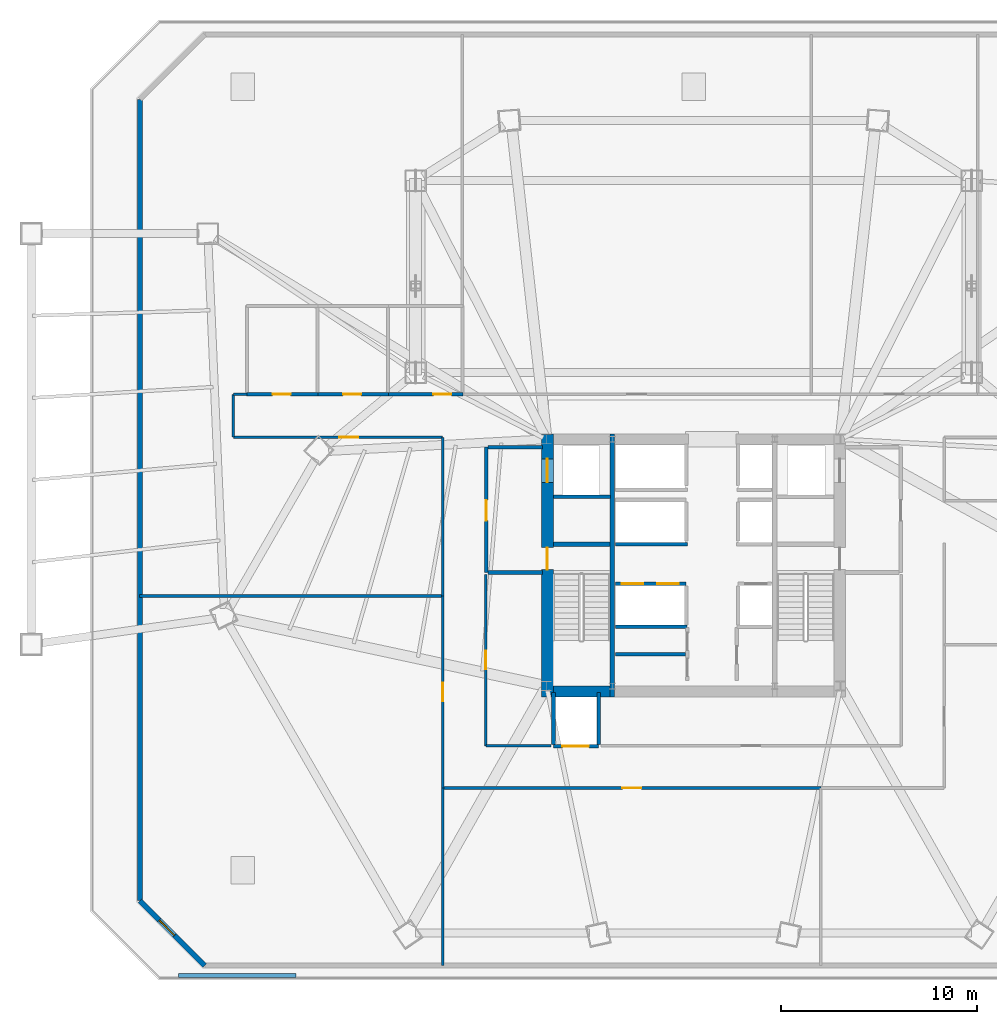
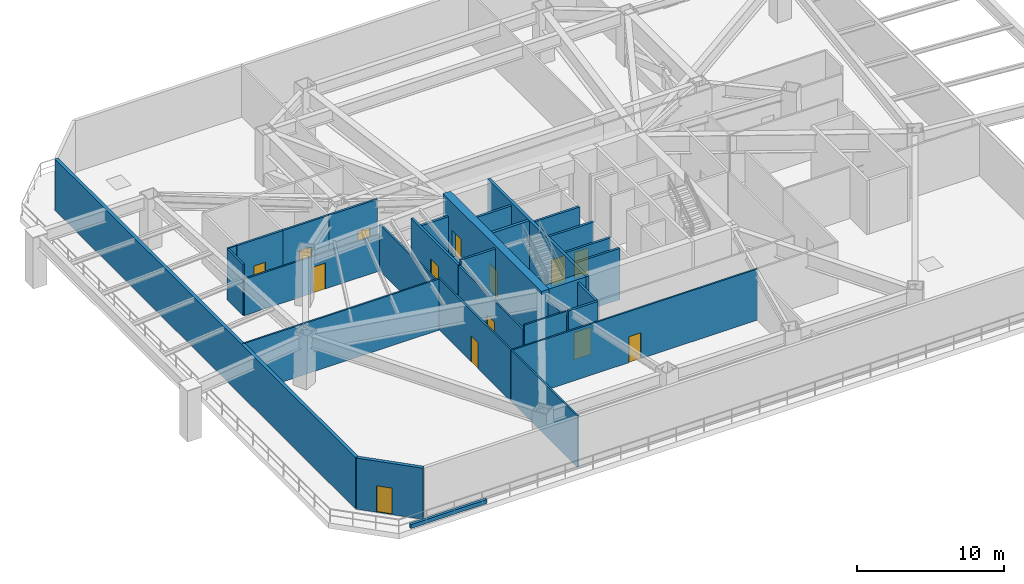
# One storey, part 6 of 13: 31 walls, 14 doors, 14 openings.
"""IFC4 building model written with IfcOpenShell, lengths in metres."""

from ifc_helpers import new_model, si_unit, direction, frame, frame_2d, origin, place, context, subcontext, project, spatial, rectangle, extrude, material, layer, layer_set, type_object, element, fill, save


model = new_model("IFC4")

# Units and contexts
model_context = context("Model", 3, precision=1e-05, world=origin(), true_north=direction((0.0, 1.0)))
body_context = subcontext(model_context, "Body", "Model", "MODEL_VIEW")
ifc_project = project(units=[si_unit("LENGTHUNIT", "METRE"), si_unit("AREAUNIT", "SQUARE_METRE"), si_unit("VOLUMEUNIT", "CUBIC_METRE"), si_unit("PLANEANGLEUNIT", "RADIAN"), si_unit("MASSUNIT", "GRAM", prefix="KILO")], contexts=[model_context])

# Site, building, storey
site_placement = place(None, origin())
site = spatial("IfcSite", under=ifc_project, at=site_placement, CompositionType="ELEMENT")
building_placement = place(site_placement, origin())
building = spatial("IfcBuilding", under=site, at=building_placement, Name="Caelisora Broadcast Tower", CompositionType="ELEMENT")
storey_placement = place(building_placement, frame((0.0, 0.0, 23.10009765625)))
storey = spatial("IfcBuildingStorey", under=building, at=storey_placement, Name="L05", CompositionType="ELEMENT", Elevation=23.10009765625)

# Wall, openings, doors
ifc_material_1 = material(Name="Concrete 65 MPa (AS 3600 S65)", Category="concrete")
ifc_layer_1 = layer(ifc_material_1, 0.60009765625, Name="Concrete 65 MPa (AS 3600 S65)")
ifc_layer_set_1 = layer_set([ifc_layer_1], Name="Concrete 65 MPa (AS 3600 S65)")
wall_type_1 = type_object("IfcWallType", Name="CW1", PredefinedType="SHEAR", material=ifc_layer_set_1)
wall_1_placement = place(storey_placement, frame((30.5400390625, 16.85009765625, 0.0), z_axis=(0.0, 0.0, 1.0), x_axis=(0.0, 1.0, 0.0)))
wall_1 = element("IfcWall", 1, at=wall_1_placement, inside=storey, type_object=wall_type_1, Name="L05 core shear wall CW1", PredefinedType="SHEAR", context=body_context, shape_type="SweptSolid", body=[
    extrude(rectangle(XDim=13.4248046875, YDim=0.60009765625, at=frame_2d((6.71240234375, 0.0))), origin(), (0.0, 0.0, 1.0), 4.5),
])
opening_1_placement = place(wall_1_placement, frame((6.5, 0.0, 0.0)))
opening_1 = element("IfcOpeningElement", 2, at=opening_1_placement, cuts=wall_1, Name="Opening FD04", PredefinedType="OPENING", context=body_context, shape_type="SweptSolid", body=[
    extrude(rectangle(XDim=1.1201171875, YDim=2.14990234375, at=frame_2d((0.56005859375, 1.074951171875))), frame((0.0, 0.31201171875, 0.0), z_axis=(0.0, -1.0, 0.0), x_axis=(1.0, 0.0, 0.0)), (0.0, 0.0, 1.0), 0.6240234375),
])
opening_2_placement = place(wall_1_placement, frame((10.949951171875, 0.0, 0.0)))
opening_2 = element("IfcOpeningElement", 3, at=opening_2_placement, cuts=wall_1, Name="Opening LD04", PredefinedType="OPENING", context=body_context, shape_type="SweptSolid", body=[
    extrude(rectangle(XDim=1.199951171875, YDim=2.199951171875, at=frame_2d((0.60009765625, 1.10009765625))), frame((0.0, 0.31201171875, 0.0), z_axis=(0.0, -1.0, 0.0), x_axis=(1.0, 0.0, 0.0)), (0.0, 0.0, 1.0), 0.6240234375),
])
ifc_material_2 = material(Name="Pressurised Fire-Isolated Stair Door", Category="steel")
door_type_1 = type_object("IfcDoorType", Name="FD04", OperationType="NOTDEFINED", PredefinedType="DOOR", material=ifc_material_2)
door_1_placement = place(opening_1_placement, origin())
door_1 = element("IfcDoor", 4, at=door_1_placement, inside=storey, type_object=door_type_1, Name="L05 door FD04 (L05-DR-ST1)", OperationType="SINGLE_SWING_LEFT", OverallHeight=2.14990234375, OverallWidth=1.1201171875, PredefinedType="DOOR", context=body_context, shape_type="SweptSolid", body=[
    extrude(rectangle(XDim=1.1201171875, YDim=2.14990234375, at=frame_2d((0.56005859375, 1.074951171875))), frame((0.0, 0.02490234375, 0.0), z_axis=(0.0, -1.0, 0.0), x_axis=(1.0, 0.0, 0.0)), (0.0, 0.0, 1.0), 0.050048828125),
])
fill(opening_1, door_1)
ifc_material_3 = material(Name="Emergency Firefighting Lift Sliding Landing Door", Category="steel")
door_type_2 = type_object("IfcDoorType", Name="LD04", OperationType="NOTDEFINED", PredefinedType="DOOR", material=ifc_material_3)
door_2_placement = place(opening_2_placement, origin())
door_2 = element("IfcDoor", 5, at=door_2_placement, inside=storey, type_object=door_type_2, Name="L05 door LD04 (L05-LD-FFL1)", OperationType="SLIDING_TO_LEFT", OverallHeight=2.199951171875, OverallWidth=1.199951171875, PredefinedType="DOOR", context=body_context, shape_type="SweptSolid", body=[
    extrude(rectangle(XDim=1.199951171875, YDim=2.199951171875, at=frame_2d((0.60009765625, 1.10009765625))), frame((0.0, 0.02490234375, 0.0), z_axis=(0.0, -1.0, 0.0), x_axis=(1.0, 0.0, 0.0)), (0.0, 0.0, 1.0), 0.050048828125),
])
fill(opening_2, door_2)

# Walls
ifc_layer_2 = layer(ifc_material_1, 0.550048828125, Name="Concrete 65 MPa (AS 3600 S65)")
ifc_layer_set_2 = layer_set([ifc_layer_2], Name="Concrete 65 MPa (AS 3600 S65)")
wall_type_2 = type_object("IfcWallType", Name="CW4", PredefinedType="SHEAR", material=ifc_layer_set_2)
wall_2_placement = place(storey_placement, frame((30.840087890625, 17.125, 0.0), z_axis=(0.0, 0.0, 1.0), x_axis=(1.0, 0.0, 0.0)))
element("IfcWall", 6, at=wall_2_placement, inside=storey, type_object=wall_type_2, Name="L05 core shear wall CW4", PredefinedType="SHEAR", context=body_context, shape_type="SweptSolid", body=[
    extrude(rectangle(XDim=2.89990234375, YDim=0.550048828125, at=frame_2d((1.449951171875, 0.0))), origin(), (0.0, 0.0, 1.0), 4.5),
])
ifc_material_4 = material(Name="Concrete 50 MPa (AS 3600 S50)", Category="concrete")
ifc_layer_3 = layer(ifc_material_4, 0.219970703125, Name="Concrete 50 MPa (AS 3600 S50)")
ifc_layer_set_3 = layer_set([ifc_layer_3], Name="Concrete 50 MPa (AS 3600 S50)")
wall_type_3 = type_object("IfcWallType", Name="CW7", PredefinedType="SHEAR", material=ifc_layer_set_3)
wall_3_placement = place(storey_placement, frame((33.85009765625, 16.85009765625, 0.0), z_axis=(0.0, 0.0, 1.0), x_axis=(0.0, 1.0, 0.0)))
element("IfcWall", 7, at=wall_3_placement, inside=storey, type_object=wall_type_3, Name="L05 core shear wall CW7", PredefinedType="SHEAR", context=body_context, shape_type="SweptSolid", body=[
    extrude(rectangle(XDim=13.4248046875, YDim=0.219970703125, at=frame_2d((6.71240234375, 0.0))), origin(), (0.0, 0.0, 1.0), 4.5),
])
wall_4_placement = place(storey_placement, frame((30.840087890625, 24.639892578125, 0.0), z_axis=(0.0, 0.0, 1.0), x_axis=(1.0, 0.0, 0.0)))
element("IfcWall", 8, at=wall_4_placement, inside=storey, type_object=wall_type_3, Name="L05 core shear wall CW7", PredefinedType="SHEAR", context=body_context, shape_type="SweptSolid", body=[
    extrude(rectangle(XDim=2.89990234375, YDim=0.219970703125, at=frame_2d((1.449951171875, 0.0))), origin(), (0.0, 0.0, 1.0), 4.5),
])

# Wall, opening, door
ifc_material_5 = material(Name="Fire-Rated Acoustic Plant Enclosure Wall", Category="masonry")
ifc_layer_4 = layer(ifc_material_5, 0.260009765625, Name="Fire-Rated Acoustic Plant Enclosure Wall")
ifc_layer_set_4 = layer_set([ifc_layer_4], Name="Fire-Rated Acoustic Plant Enclosure Wall")
wall_type_4 = type_object("IfcWallType", Name="EW2", PredefinedType="STANDARD", material=ifc_layer_set_4)
wall_5_placement = place(storey_placement, frame((13.041015625, 3.139892578125, 0.0), z_axis=(0.0, 0.0, 1.0), x_axis=(-0.707106781187, 0.707106781187, 0.0)))
wall_5 = element("IfcWall", 9, at=wall_5_placement, inside=storey, type_object=wall_type_4, Name="L05 exterior envelope wall EW2", PredefinedType="STANDARD", context=body_context, shape_type="SweptSolid", body=[
    extrude(rectangle(XDim=4.66845703125, YDim=0.260009765625, at=frame_2d((2.334228515625, 0.0))), origin(), (0.0, 0.0, 1.0), 4.25),
])
opening_3_placement = place(wall_5_placement, frame((2.169921875, 0.0, 0.0)))
opening_3 = element("IfcOpeningElement", 10, at=opening_3_placement, cuts=wall_5, Name="Opening D04", PredefinedType="OPENING", context=body_context, shape_type="SweptSolid", body=[
    extrude(rectangle(XDim=1.10009765625, YDim=2.199951171875, at=frame_2d((0.550048828125, 1.10009765625))), frame((0.0, 0.14208984375, 0.0), z_axis=(0.0, -1.0, 0.0), x_axis=(1.0, 0.0, 0.0)), (0.0, 0.0, 1.0), 0.283935546875),
])
ifc_material_6 = material(Name="Aluminium Framed Double-Glazed Terrace Door", Category="aluminium")
door_type_3 = type_object("IfcDoorType", Name="D04", OperationType="NOTDEFINED", PredefinedType="DOOR", material=ifc_material_6)
door_3_placement = place(opening_3_placement, origin())
door_3 = element("IfcDoor", 11, at=door_3_placement, inside=storey, type_object=door_type_3, Name="L05 door D04 (L05-DR-TER)", OperationType="SINGLE_SWING_LEFT", OverallHeight=2.199951171875, OverallWidth=1.10009765625, PredefinedType="DOOR", context=body_context, shape_type="SweptSolid", body=[
    extrude(rectangle(XDim=1.10009765625, YDim=2.199951171875, at=frame_2d((0.550048828125, 1.10009765625))), frame((0.0, 0.02490234375, 0.0), z_axis=(0.0, -1.0, 0.0), x_axis=(1.0, 0.0, 0.0)), (0.0, 0.0, 1.0), 0.050048828125),
])
fill(opening_3, door_3)

# Walls
wall_6_placement = place(storey_placement, frame((9.739990234375, 6.4609375, 0.0), z_axis=(0.0, 0.0, 1.0), x_axis=(0.0, 1.0, 0.0)))
element("IfcWall", 12, at=wall_6_placement, inside=storey, type_object=wall_type_4, Name="L05 exterior envelope wall EW2", PredefinedType="STANDARD", context=body_context, shape_type="SweptSolid", body=[
    extrude(rectangle(XDim=40.878173828125, YDim=0.260009765625, at=frame_2d((20.43896484375, 0.0))), origin(), (0.0, 0.0, 1.0), 4.25),
])
ifc_material_7 = material(Name="Precast Concrete 40 MPa (AS 3600 N40)", Category="concrete")
ifc_layer_5 = layer(ifc_material_7, 0.2099609375, Name="Precast Concrete 40 MPa (AS 3600 N40)")
ifc_layer_set_5 = layer_set([ifc_layer_5], Name="Precast Concrete 40 MPa (AS 3600 N40)")
wall_type_5 = type_object("IfcWallType", Name="EW3", PredefinedType="PARAPET", material=ifc_layer_set_5)
wall_7_placement = place(storey_placement, frame((11.699951171875, 2.6201171875, 0.0), z_axis=(0.0, 0.0, 1.0), x_axis=(1.0, 0.0, 0.0)))
element("IfcWall", 13, at=wall_7_placement, inside=storey, type_object=wall_type_5, Name="L05 terrace parapet wall EW3", PredefinedType="PARAPET", context=body_context, shape_type="SweptSolid", body=[
    extrude(rectangle(XDim=6.0, YDim=0.2099609375, at=frame_2d((3.0, 0.0))), origin(), (0.0, 0.0, 1.0), 0.31982421875),
])

# Wall, opening, door
ifc_material_8 = material(Name="Fire-Rated Gypsum Shaft and Compartment Wall", Category="gypsum")
ifc_layer_6 = layer(ifc_material_8, 0.179931640625, Name="Fire-Rated Gypsum Shaft and Compartment Wall")
ifc_layer_set_6 = layer_set([ifc_layer_6], Name="Fire-Rated Gypsum Shaft and Compartment Wall")
wall_type_6 = type_object("IfcWallType", Name="PW2", PredefinedType="PARTITIONING", material=ifc_layer_set_6)
wall_8_placement = place(storey_placement, frame((30.85009765625, 14.320068359375, 0.0), z_axis=(0.0, 0.0, 1.0), x_axis=(1.0, 0.0, 0.0)))
wall_8 = element("IfcWall", 14, at=wall_8_placement, inside=storey, type_object=wall_type_6, Name="L05 fire compartment wall PW2", PredefinedType="PARTITIONING", context=body_context, shape_type="SweptSolid", body=[
    extrude(rectangle(XDim=2.2998046875, YDim=0.179931640625, at=frame_2d((1.14990234375, 0.0))), origin(), (0.0, 0.0, 1.0), 4.25),
])
opening_4_placement = place(wall_8_placement, frame((0.449951171875, 0.0, 0.0)))
opening_4 = element("IfcOpeningElement", 15, at=opening_4_placement, cuts=wall_8, Name="Opening LD03", PredefinedType="OPENING", context=body_context, shape_type="SweptSolid", body=[
    extrude(rectangle(XDim=1.35009765625, YDim=2.25, at=frame_2d((0.675048828125, 1.125))), frame((0.0, 0.10205078125, 0.0), z_axis=(0.0, -1.0, 0.0), x_axis=(1.0, 0.0, 0.0)), (0.0, 0.0, 1.0), 0.203857421875),
])
ifc_material_9 = material(Name="Heavy-Duty Goods Lift Sliding Landing Door", Category="steel")
door_type_4 = type_object("IfcDoorType", Name="LD03", OperationType="NOTDEFINED", PredefinedType="DOOR", material=ifc_material_9)
door_4_placement = place(opening_4_placement, origin())
door_4 = element("IfcDoor", 16, at=door_4_placement, inside=storey, type_object=door_type_4, Name="L05 door LD03 (L05-LD-GL1)", OperationType="SLIDING_TO_LEFT", OverallHeight=2.25, OverallWidth=1.35009765625, PredefinedType="DOOR", context=body_context, shape_type="SweptSolid", body=[
    extrude(rectangle(XDim=1.35009765625, YDim=2.25, at=frame_2d((0.675048828125, 1.125))), frame((0.0, 0.02490234375, 0.0), z_axis=(0.0, -1.0, 0.0), x_axis=(1.0, 0.0, 0.0)), (0.0, 0.0, 1.0), 0.050048828125),
])
fill(opening_4, door_4)

# Walls
wall_9_placement = place(storey_placement, frame((30.85009765625, 14.419921875, 0.0), z_axis=(0.0, 0.0, 1.0), x_axis=(0.0, 1.0, 0.0)))
element("IfcWall", 17, at=wall_9_placement, inside=storey, type_object=wall_type_6, Name="L05 fire compartment wall PW2", PredefinedType="PARTITIONING", context=body_context, shape_type="SweptSolid", body=[
    extrude(rectangle(XDim=2.66015625, YDim=0.179931640625, at=frame_2d((1.330078125, 0.0))), origin(), (0.0, 0.0, 1.0), 3.623291015625),
])
wall_10_placement = place(storey_placement, frame((33.14990234375, 14.419921875, 0.0), z_axis=(0.0, 0.0, 1.0), x_axis=(0.0, 1.0, 0.0)))
element("IfcWall", 18, at=wall_10_placement, inside=storey, type_object=wall_type_6, Name="L05 fire compartment wall PW2", PredefinedType="PARTITIONING", context=body_context, shape_type="SweptSolid", body=[
    extrude(rectangle(XDim=2.66015625, YDim=0.179931640625, at=frame_2d((1.330078125, 0.0))), origin(), (0.0, 0.0, 1.0), 4.25),
])

# Wall, openings, doors
wall_11_placement = place(storey_placement, frame((34.02001953125, 22.6201171875, 0.0), z_axis=(0.0, 0.0, 1.0), x_axis=(1.0, 0.0, 0.0)))
wall_11 = element("IfcWall", 19, at=wall_11_placement, inside=storey, type_object=wall_type_6, Name="L05 fire compartment wall PW2", PredefinedType="PARTITIONING", context=body_context, shape_type="SweptSolid", body=[
    extrude(rectangle(XDim=3.60009765625, YDim=0.179931640625, at=frame_2d((1.800048828125, 0.0))), origin(), (0.0, 0.0, 1.0), 4.25),
])
opening_5_placement = place(wall_11_placement, frame((0.320068359375, 0.0, 0.0)))
opening_5 = element("IfcOpeningElement", 20, at=opening_5_placement, cuts=wall_11, Name="Opening LD01", PredefinedType="OPENING", context=body_context, shape_type="SweptSolid", body=[
    extrude(rectangle(XDim=1.10009765625, YDim=2.199951171875, at=frame_2d((0.550048828125, 1.10009765625))), frame((0.0, 0.10205078125, 0.0), z_axis=(0.0, -1.0, 0.0), x_axis=(1.0, 0.0, 0.0)), (0.0, 0.0, 1.0), 0.203857421875),
])
opening_6_placement = place(wall_11_placement, frame((2.1201171875, 0.0, 0.0)))
opening_6 = element("IfcOpeningElement", 21, at=opening_6_placement, cuts=wall_11, Name="Opening LD01", PredefinedType="OPENING", context=body_context, shape_type="SweptSolid", body=[
    extrude(rectangle(XDim=1.10009765625, YDim=2.199951171875, at=frame_2d((0.550048828125, 1.10009765625))), frame((0.0, 0.10205078125, 0.0), z_axis=(0.0, -1.0, 0.0), x_axis=(1.0, 0.0, 0.0)), (0.0, 0.0, 1.0), 0.203857421875),
])
ifc_material_10 = material(Name="Stainless Steel Centre-Parting Lift Landing Door", Category="steel")
door_type_5 = type_object("IfcDoorType", Name="LD01", OperationType="NOTDEFINED", PredefinedType="DOOR", material=ifc_material_10)
door_5_placement = place(opening_5_placement, origin())
door_5 = element("IfcDoor", 22, at=door_5_placement, inside=storey, type_object=door_type_5, Name="L05 door LD01 (L05-LD-PLL1)", OperationType="SLIDING_TO_LEFT", OverallHeight=2.199951171875, OverallWidth=1.10009765625, PredefinedType="DOOR", context=body_context, shape_type="SweptSolid", body=[
    extrude(rectangle(XDim=1.10009765625, YDim=2.199951171875, at=frame_2d((0.550048828125, 1.10009765625))), frame((0.0, 0.02490234375, 0.0), z_axis=(0.0, -1.0, 0.0), x_axis=(1.0, 0.0, 0.0)), (0.0, 0.0, 1.0), 0.050048828125),
])
fill(opening_5, door_5)
door_6_placement = place(opening_6_placement, origin())
door_6 = element("IfcDoor", 23, at=door_6_placement, inside=storey, type_object=door_type_5, Name="L05 door LD01 (L05-LD-PLL2)", OperationType="SLIDING_TO_RIGHT", OverallHeight=2.199951171875, OverallWidth=1.10009765625, PredefinedType="DOOR", context=body_context, shape_type="SweptSolid", body=[
    extrude(rectangle(XDim=1.10009765625, YDim=2.199951171875, at=frame_2d((0.550048828125, 1.10009765625))), frame((0.0, 0.02490234375, 0.0), z_axis=(0.0, -1.0, 0.0), x_axis=(1.0, 0.0, 0.0)), (0.0, 0.0, 1.0), 0.050048828125),
])
fill(opening_6, door_6)

# Wall
wall_12_placement = place(storey_placement, frame((34.02001953125, 24.639892578125, 0.0), z_axis=(0.0, 0.0, 1.0), x_axis=(1.0, 0.0, 0.0)))
element("IfcWall", 24, at=wall_12_placement, inside=storey, type_object=wall_type_6, Name="L05 fire compartment wall PW2", PredefinedType="PARTITIONING", context=body_context, shape_type="SweptSolid", body=[
    extrude(rectangle(XDim=3.679931640625, YDim=0.179931640625, at=frame_2d((1.83984375, 0.0))), origin(), (0.0, 0.0, 1.0), 4.25),
])

# Wall, opening, door
wall_13_placement = place(storey_placement, frame((27.419921875, 23.199951171875, 0.0), z_axis=(0.0, 0.0, 1.0), x_axis=(0.0, 1.0, 0.0)))
wall_13 = element("IfcWall", 25, at=wall_13_placement, inside=storey, type_object=wall_type_6, Name="L05 fire compartment wall PW2", PredefinedType="PARTITIONING", context=body_context, shape_type="SweptSolid", body=[
    extrude(rectangle(XDim=6.400146484375, YDim=0.179931640625, at=frame_2d((3.2001953125, 0.0))), origin(), (0.0, 0.0, 1.0), 3.876220703125),
])
opening_7_placement = place(wall_13_placement, frame((2.64990234375, 0.0, 0.0)))
opening_7 = element("IfcOpeningElement", 26, at=opening_7_placement, cuts=wall_13, Name="Opening FD02", PredefinedType="OPENING", context=body_context, shape_type="SweptSolid", body=[
    extrude(rectangle(XDim=1.050048828125, YDim=2.14990234375, at=frame_2d((0.52490234375, 1.074951171875))), frame((0.0, 0.10205078125, 0.0), z_axis=(0.0, -1.0, 0.0), x_axis=(1.0, 0.0, 0.0)), (0.0, 0.0, 1.0), 0.203857421875),
])
ifc_material_11 = material(Name="Single-Leaf Steel Fire Lobby Door", Category="steel")
door_type_6 = type_object("IfcDoorType", Name="FD02", OperationType="NOTDEFINED", PredefinedType="DOOR", material=ifc_material_11)
door_7_placement = place(opening_7_placement, origin())
door_7 = element("IfcDoor", 27, at=door_7_placement, inside=storey, type_object=door_type_6, Name="L05 door FD02 (L05-DR-P01D1)", OperationType="SINGLE_SWING_RIGHT", OverallHeight=2.14990234375, OverallWidth=1.050048828125, PredefinedType="DOOR", context=body_context, shape_type="SweptSolid", body=[
    extrude(rectangle(XDim=1.050048828125, YDim=2.14990234375, at=frame_2d((0.52490234375, 1.074951171875))), frame((0.0, 0.02490234375, 0.0), z_axis=(0.0, -1.0, 0.0), x_axis=(1.0, 0.0, 0.0)), (0.0, 0.0, 1.0), 0.050048828125),
])
fill(opening_7, door_7)

# Walls
wall_14_placement = place(storey_placement, frame((27.52001953125, 23.199951171875, 0.0), z_axis=(0.0, 0.0, 1.0), x_axis=(1.0, 0.0, 0.0)))
element("IfcWall", 28, at=wall_14_placement, inside=storey, type_object=wall_type_6, Name="L05 fire compartment wall PW2", PredefinedType="PARTITIONING", context=body_context, shape_type="SweptSolid", body=[
    extrude(rectangle(XDim=2.760009765625, YDim=0.179931640625, at=frame_2d((1.3798828125, 0.0))), origin(), (0.0, 0.0, 1.0), 4.25),
])
wall_15_placement = place(storey_placement, frame((27.52001953125, 29.60009765625, 0.0), z_axis=(0.0, 0.0, 1.0), x_axis=(1.0, 0.0, 0.0)))
element("IfcWall", 29, at=wall_15_placement, inside=storey, type_object=wall_type_6, Name="L05 fire compartment wall PW2", PredefinedType="PARTITIONING", context=body_context, shape_type="SweptSolid", body=[
    extrude(rectangle(XDim=2.760009765625, YDim=0.179931640625, at=frame_2d((1.3798828125, 0.0))), origin(), (0.0, 0.0, 1.0), 3.034912109375),
])
wall_16_placement = place(storey_placement, frame((30.860107421875, 27.070068359375, 0.0), z_axis=(0.0, 0.0, 1.0), x_axis=(1.0, 0.0, 0.0)))
element("IfcWall", 30, at=wall_16_placement, inside=storey, type_object=wall_type_6, Name="L05 fire compartment wall PW2", PredefinedType="PARTITIONING", context=body_context, shape_type="SweptSolid", body=[
    extrude(rectangle(XDim=2.89990234375, YDim=0.179931640625, at=frame_2d((1.449951171875, 0.0))), origin(), (0.0, 0.0, 1.0), 4.25),
])
wall_17_placement = place(storey_placement, frame((34.02001953125, 20.419921875, 0.0), z_axis=(0.0, 0.0, 1.0), x_axis=(1.0, 0.0, 0.0)))
element("IfcWall", 31, at=wall_17_placement, inside=storey, type_object=wall_type_6, Name="L05 fire compartment wall PW2", PredefinedType="PARTITIONING", context=body_context, shape_type="SweptSolid", body=[
    extrude(rectangle(XDim=3.639892578125, YDim=0.179931640625, at=frame_2d((1.81982421875, 0.0))), origin(), (0.0, 0.0, 1.0), 4.25),
])
wall_18_placement = place(storey_placement, frame((34.02001953125, 19.02001953125, 0.0), z_axis=(0.0, 0.0, 1.0), x_axis=(1.0, 0.0, 0.0)))
element("IfcWall", 32, at=wall_18_placement, inside=storey, type_object=wall_type_6, Name="L05 fire compartment wall PW2", PredefinedType="PARTITIONING", context=body_context, shape_type="SweptSolid", body=[
    extrude(rectangle(XDim=3.580078125, YDim=0.179931640625, at=frame_2d((1.7900390625, 0.0))), origin(), (0.0, 0.0, 1.0), 4.25),
])

# Wall, opening, door
ifc_material_12 = material(Name="Acoustic Steel-Stud Plasterboard Partition", Category="gypsum")
ifc_layer_7 = layer(ifc_material_12, 0.1298828125, Name="Acoustic Steel-Stud Plasterboard Partition")
ifc_layer_set_7 = layer_set([ifc_layer_7], Name="Acoustic Steel-Stud Plasterboard Partition")
wall_type_7 = type_object("IfcWallType", Name="PW3", PredefinedType="PARTITIONING", material=ifc_layer_set_7)
wall_19_placement = place(storey_placement, frame((25.205078125, 12.199951171875, 0.0), z_axis=(0.0, 0.0, 1.0), x_axis=(1.0, 0.0, 0.0)))
wall_19 = element("IfcWall", 33, at=wall_19_placement, inside=storey, type_object=wall_type_7, Name="L05 internal partition PW3", PredefinedType="PARTITIONING", context=body_context, shape_type="SweptSolid", body=[
    extrude(rectangle(XDim=19.2900390625, YDim=0.1298828125, at=frame_2d((9.64501953125, 0.0))), origin(), (0.0, 0.0, 1.0), 4.25),
])
opening_8_placement = place(wall_19_placement, frame((9.1650390625, 0.0, 0.0)))
opening_8 = element("IfcOpeningElement", 34, at=opening_8_placement, cuts=wall_19, Name="Opening D01", PredefinedType="OPENING", context=body_context, shape_type="SweptSolid", body=[
    extrude(rectangle(XDim=0.9599609375, YDim=2.14990234375, at=frame_2d((0.47998046875, 1.074951171875))), frame((0.0, 0.076904296875, 0.0), z_axis=(0.0, -1.0, 0.0), x_axis=(1.0, 0.0, 0.0)), (0.0, 0.0, 1.0), 0.15380859375),
])
ifc_material_13 = material(Name="Solid-Core Timber Acoustic Office Door", Category="wood")
door_type_7 = type_object("IfcDoorType", Name="D01", OperationType="NOTDEFINED", PredefinedType="DOOR", material=ifc_material_13)
door_8_placement = place(opening_8_placement, origin())
door_8 = element("IfcDoor", 35, at=door_8_placement, inside=storey, type_object=door_type_7, Name="L05 door D01 (L05-DR-P24D1)", OperationType="SINGLE_SWING_RIGHT", OverallHeight=2.14990234375, OverallWidth=0.9599609375, PredefinedType="DOOR", context=body_context, shape_type="SweptSolid", body=[
    extrude(rectangle(XDim=0.9599609375, YDim=2.14990234375, at=frame_2d((0.47998046875, 1.074951171875))), frame((0.0, 0.02490234375, 0.0), z_axis=(0.0, -1.0, 0.0), x_axis=(1.0, 0.0, 0.0)), (0.0, 0.0, 1.0), 0.050048828125),
])
fill(opening_8, door_8)

# Wall
wall_20_placement = place(storey_placement, frame((9.72998046875, 22.0, 0.0), z_axis=(0.0, 0.0, 1.0), x_axis=(1.0, 0.0, 0.0)))
element("IfcWall", 36, at=wall_20_placement, inside=storey, type_object=wall_type_7, Name="L05 internal partition PW3", PredefinedType="PARTITIONING", context=body_context, shape_type="SweptSolid", body=[
    extrude(rectangle(XDim=15.465087890625, YDim=0.1298828125, at=frame_2d((7.732421875, 0.0))), origin(), (0.0, 0.0, 1.0), 4.25),
])

# Wall, opening, door
wall_21_placement = place(storey_placement, frame((25.195068359375, 30.10009765625, 0.0), z_axis=(0.0, 0.0, 1.0), x_axis=(-1.0, 0.0, 0.0)))
wall_21 = element("IfcWall", 37, at=wall_21_placement, inside=storey, type_object=wall_type_7, Name="L05 internal partition PW3", PredefinedType="PARTITIONING", context=body_context, shape_type="SweptSolid", body=[
    extrude(rectangle(XDim=10.690185546875, YDim=0.1298828125, at=frame_2d((5.34521484375, 0.0))), origin(), (0.0, 0.0, 1.0), 3.034912109375),
])
opening_9_placement = place(wall_21_placement, frame((4.320068359375, 0.0, 0.0)))
opening_9 = element("IfcOpeningElement", 38, at=opening_9_placement, cuts=wall_21, Name="Opening D01", PredefinedType="OPENING", context=body_context, shape_type="SweptSolid", body=[
    extrude(rectangle(XDim=0.9599609375, YDim=2.14990234375, at=frame_2d((0.47998046875, 1.074951171875))), frame((0.0, 0.076904296875, 0.0), z_axis=(0.0, -1.0, 0.0), x_axis=(1.0, 0.0, 0.0)), (0.0, 0.0, 1.0), 0.15380859375),
])
door_9_placement = place(opening_9_placement, origin())
door_9 = element("IfcDoor", 39, at=door_9_placement, inside=storey, type_object=door_type_7, Name="L05 door D01 (L05-DR-P32D1)", OperationType="SINGLE_SWING_RIGHT", OverallHeight=2.14990234375, OverallWidth=0.9599609375, PredefinedType="DOOR", context=body_context, shape_type="SweptSolid", body=[
    extrude(rectangle(XDim=0.9599609375, YDim=2.14990234375, at=frame_2d((0.47998046875, 1.074951171875))), frame((0.0, 0.02490234375, 0.0), z_axis=(0.0, -1.0, 0.0), x_axis=(1.0, 0.0, 0.0)), (0.0, 0.0, 1.0), 0.050048828125),
])
fill(opening_9, door_9)

wall_22_placement = place(storey_placement, frame((25.199951171875, 12.205078125, 0.0), z_axis=(0.0, 0.0, 1.0), x_axis=(0.0, 1.0, 0.0)))
wall_22 = element("IfcWall", 40, at=wall_22_placement, inside=storey, type_object=wall_type_7, Name="L05 internal partition PW3", PredefinedType="PARTITIONING", context=body_context, shape_type="SweptSolid", body=[
    extrude(rectangle(XDim=9.7900390625, YDim=0.1298828125, at=frame_2d((4.89501953125, 0.0))), origin(), (0.0, 0.0, 1.0), 4.25),
])
opening_10_placement = place(wall_22_placement, frame((4.4150390625, 0.0, 0.0)))
opening_10 = element("IfcOpeningElement", 41, at=opening_10_placement, cuts=wall_22, Name="Opening D01", PredefinedType="OPENING", context=body_context, shape_type="SweptSolid", body=[
    extrude(rectangle(XDim=0.9599609375, YDim=2.14990234375, at=frame_2d((0.47998046875, 1.074951171875))), frame((0.0, 0.076904296875, 0.0), z_axis=(0.0, -1.0, 0.0), x_axis=(1.0, 0.0, 0.0)), (0.0, 0.0, 1.0), 0.15380859375),
])
door_10_placement = place(opening_10_placement, origin())
door_10 = element("IfcDoor", 42, at=door_10_placement, inside=storey, type_object=door_type_7, Name="L05 door D01 (L05-DR-P34D1)", OperationType="SINGLE_SWING_LEFT", OverallHeight=2.14990234375, OverallWidth=0.9599609375, PredefinedType="DOOR", context=body_context, shape_type="SweptSolid", body=[
    extrude(rectangle(XDim=0.9599609375, YDim=2.14990234375, at=frame_2d((0.47998046875, 1.074951171875))), frame((0.0, 0.02490234375, 0.0), z_axis=(0.0, -1.0, 0.0), x_axis=(1.0, 0.0, 0.0)), (0.0, 0.0, 1.0), 0.050048828125),
])
fill(opening_10, door_10)

# Wall
wall_23_placement = place(storey_placement, frame((25.199951171875, 3.1298828125, 0.0), z_axis=(0.0, 0.0, 1.0), x_axis=(0.0, 1.0, 0.0)))
element("IfcWall", 43, at=wall_23_placement, inside=storey, type_object=wall_type_7, Name="L05 internal partition PW3", PredefinedType="PARTITIONING", context=body_context, shape_type="SweptSolid", body=[
    extrude(rectangle(XDim=9.065185546875, YDim=0.1298828125, at=frame_2d((4.53271484375, 0.0))), origin(), (0.0, 0.0, 1.0), 4.25),
])

# Wall, opening, door
wall_24_placement = place(storey_placement, frame((27.39990234375, 14.35498046875, 0.0), z_axis=(0.0, 0.0, 1.0), x_axis=(0.0, 1.0, 0.0)))
wall_24 = element("IfcWall", 44, at=wall_24_placement, inside=storey, type_object=wall_type_7, Name="L05 internal partition PW3", PredefinedType="PARTITIONING", context=body_context, shape_type="SweptSolid", body=[
    extrude(rectangle(XDim=8.75, YDim=0.1298828125, at=frame_2d((4.375, 0.0))), origin(), (0.0, 0.0, 1.0), 3.876220703125),
])
opening_11_placement = place(wall_24_placement, frame((3.89501953125, 0.0, 0.0)))
opening_11 = element("IfcOpeningElement", 45, at=opening_11_placement, cuts=wall_24, Name="Opening D01", PredefinedType="OPENING", context=body_context, shape_type="SweptSolid", body=[
    extrude(rectangle(XDim=0.9599609375, YDim=2.14990234375, at=frame_2d((0.47998046875, 1.074951171875))), frame((0.0, 0.076904296875, 0.0), z_axis=(0.0, -1.0, 0.0), x_axis=(1.0, 0.0, 0.0)), (0.0, 0.0, 1.0), 0.15380859375),
])
door_11_placement = place(opening_11_placement, origin())
door_11 = element("IfcDoor", 46, at=door_11_placement, inside=storey, type_object=door_type_7, Name="L05 door D01 (L05-DR-P38D1)", OperationType="SINGLE_SWING_RIGHT", OverallHeight=2.14990234375, OverallWidth=0.9599609375, PredefinedType="DOOR", context=body_context, shape_type="SweptSolid", body=[
    extrude(rectangle(XDim=0.9599609375, YDim=2.14990234375, at=frame_2d((0.47998046875, 1.074951171875))), frame((0.0, 0.02490234375, 0.0), z_axis=(0.0, -1.0, 0.0), x_axis=(1.0, 0.0, 0.0)), (0.0, 0.0, 1.0), 0.050048828125),
])
fill(opening_11, door_11)

# Walls
wall_25_placement = place(storey_placement, frame((25.199951171875, 22.0048828125, 0.0), z_axis=(0.0, 0.0, 1.0), x_axis=(0.0, 1.0, 0.0)))
element("IfcWall", 47, at=wall_25_placement, inside=storey, type_object=wall_type_7, Name="L05 internal partition PW3", PredefinedType="PARTITIONING", context=body_context, shape_type="SweptSolid", body=[
    extrude(rectangle(XDim=8.090087890625, YDim=0.1298828125, at=frame_2d((4.044921875, 0.0))), origin(), (0.0, 0.0, 1.0), 3.876220703125),
])
wall_26_placement = place(storey_placement, frame((30.72509765625, 14.35009765625, 0.0), z_axis=(0.0, 0.0, 1.0), x_axis=(-1.0, 0.0, 0.0)))
element("IfcWall", 48, at=wall_26_placement, inside=storey, type_object=wall_type_7, Name="L05 internal partition PW3", PredefinedType="PARTITIONING", context=body_context, shape_type="SweptSolid", body=[
    extrude(rectangle(XDim=3.320068359375, YDim=0.1298828125, at=frame_2d((1.66015625, 0.0))), origin(), (0.0, 0.0, 1.0), 4.25),
])
wall_27_placement = place(storey_placement, frame((14.5, 30.10498046875, 0.0), z_axis=(0.0, 0.0, 1.0), x_axis=(0.0, 1.0, 0.0)))
element("IfcWall", 49, at=wall_27_placement, inside=storey, type_object=wall_type_7, Name="L05 internal partition PW3", PredefinedType="PARTITIONING", context=body_context, shape_type="SweptSolid", body=[
    extrude(rectangle(XDim=2.18994140625, YDim=0.1298828125, at=frame_2d((1.094970703125, 0.0))), origin(), (0.0, 0.0, 1.0), 4.25),
])
wall_28_placement = place(storey_placement, frame((14.5048828125, 32.300048828125, 0.0), z_axis=(0.0, 0.0, 1.0), x_axis=(1.0, 0.0, 0.0)))
element("IfcWall", 50, at=wall_28_placement, inside=storey, type_object=wall_type_7, Name="L05 internal partition PW3", PredefinedType="PARTITIONING", context=body_context, shape_type="SweptSolid", body=[
    extrude(rectangle(XDim=0.690185546875, YDim=0.1298828125, at=frame_2d((0.34521484375, 0.0))), origin(), (0.0, 0.0, 1.0), 4.25),
])

# Wall, opening, door
ifc_material_14 = material(Name="Moisture-Resistant Wet Plumbing Service Wall", Category="gypsum")
ifc_layer_8 = layer(ifc_material_14, 0.159912109375, Name="Moisture-Resistant Wet Plumbing Service Wall")
ifc_layer_set_8 = layer_set([ifc_layer_8], Name="Moisture-Resistant Wet Plumbing Service Wall")
wall_type_8 = type_object("IfcWallType", Name="PW4", PredefinedType="PLUMBINGWALL", material=ifc_layer_set_8)
wall_29_placement = place(storey_placement, frame((22.375, 32.300048828125, 0.0), z_axis=(0.0, 0.0, 1.0), x_axis=(1.0, 0.0, 0.0)))
wall_29 = element("IfcWall", 51, at=wall_29_placement, inside=storey, type_object=wall_type_8, Name="L05 wet plumbing wall PW4", PredefinedType="PLUMBINGWALL", context=body_context, shape_type="SweptSolid", body=[
    extrude(rectangle(XDim=3.85009765625, YDim=0.159912109375, at=frame_2d((1.925048828125, 0.0))), origin(), (0.0, 0.0, 1.0), 4.25),
])
opening_12_placement = place(wall_29_placement, frame((2.340087890625, 0.0, 0.0)))
opening_12 = element("IfcOpeningElement", 52, at=opening_12_placement, cuts=wall_29, Name="Opening D03", PredefinedType="OPENING", context=body_context, shape_type="SweptSolid", body=[
    extrude(rectangle(XDim=0.919921875, YDim=2.10009765625, at=frame_2d((0.4599609375, 1.050048828125))), frame((0.0, 0.092041015625, 0.0), z_axis=(0.0, -1.0, 0.0), x_axis=(1.0, 0.0, 0.0)), (0.0, 0.0, 1.0), 0.183837890625),
])
ifc_material_15 = material(Name="Laminate Moisture-Resistant Amenity WC Door", Category="wood")
door_type_8 = type_object("IfcDoorType", Name="D03", OperationType="NOTDEFINED", PredefinedType="DOOR", material=ifc_material_15)
door_12_placement = place(opening_12_placement, origin())
door_12 = element("IfcDoor", 53, at=door_12_placement, inside=storey, type_object=door_type_8, Name="L05 door D03 (L05-DR-P18D1)", OperationType="SINGLE_SWING_LEFT", OverallHeight=2.10009765625, OverallWidth=0.919921875, PredefinedType="DOOR", context=body_context, shape_type="SweptSolid", body=[
    extrude(rectangle(XDim=0.919921875, YDim=2.10009765625, at=frame_2d((0.4599609375, 1.050048828125))), frame((0.0, 0.02490234375, 0.0), z_axis=(0.0, -1.0, 0.0), x_axis=(1.0, 0.0, 0.0)), (0.0, 0.0, 1.0), 0.050048828125),
])
fill(opening_12, door_12)

wall_30_placement = place(storey_placement, frame((15.175048828125, 32.300048828125, 0.0), z_axis=(0.0, 0.0, 1.0), x_axis=(1.0, 0.0, 0.0)))
wall_30 = element("IfcWall", 54, at=wall_30_placement, inside=storey, type_object=wall_type_8, Name="L05 wet plumbing wall PW4", PredefinedType="PLUMBINGWALL", context=body_context, shape_type="SweptSolid", body=[
    extrude(rectangle(XDim=3.64990234375, YDim=0.159912109375, at=frame_2d((1.824951171875, 0.0))), origin(), (0.0, 0.0, 1.0), 4.25),
])
opening_13_placement = place(wall_30_placement, frame((1.3349609375, 0.0, 0.0)))
opening_13 = element("IfcOpeningElement", 55, at=opening_13_placement, cuts=wall_30, Name="Opening D03", PredefinedType="OPENING", context=body_context, shape_type="SweptSolid", body=[
    extrude(rectangle(XDim=0.919921875, YDim=2.10009765625, at=frame_2d((0.4599609375, 1.050048828125))), frame((0.0, 0.092041015625, 0.0), z_axis=(0.0, -1.0, 0.0), x_axis=(1.0, 0.0, 0.0)), (0.0, 0.0, 1.0), 0.183837890625),
])
door_13_placement = place(opening_13_placement, origin())
door_13 = element("IfcDoor", 56, at=door_13_placement, inside=storey, type_object=door_type_8, Name="L05 door D03 (L05-DR-P20D1)", OperationType="SINGLE_SWING_RIGHT", OverallHeight=2.10009765625, OverallWidth=0.919921875, PredefinedType="DOOR", context=body_context, shape_type="SweptSolid", body=[
    extrude(rectangle(XDim=0.919921875, YDim=2.10009765625, at=frame_2d((0.4599609375, 1.050048828125))), frame((0.0, 0.02490234375, 0.0), z_axis=(0.0, -1.0, 0.0), x_axis=(1.0, 0.0, 0.0)), (0.0, 0.0, 1.0), 0.050048828125),
])
fill(opening_13, door_13)

wall_31_placement = place(storey_placement, frame((18.77490234375, 32.300048828125, 0.0), z_axis=(0.0, 0.0, 1.0), x_axis=(1.0, 0.0, 0.0)))
wall_31 = element("IfcWall", 57, at=wall_31_placement, inside=storey, type_object=wall_type_8, Name="L05 wet plumbing wall PW4", PredefinedType="PLUMBINGWALL", context=body_context, shape_type="SweptSolid", body=[
    extrude(rectangle(XDim=3.650146484375, YDim=0.159912109375, at=frame_2d((1.8251953125, 0.0))), origin(), (0.0, 0.0, 1.0), 4.25),
])
opening_14_placement = place(wall_31_placement, frame((1.3349609375, 0.0, 0.0)))
opening_14 = element("IfcOpeningElement", 58, at=opening_14_placement, cuts=wall_31, Name="Opening D03", PredefinedType="OPENING", context=body_context, shape_type="SweptSolid", body=[
    extrude(rectangle(XDim=0.919921875, YDim=2.10009765625, at=frame_2d((0.4599609375, 1.050048828125))), frame((0.0, 0.092041015625, 0.0), z_axis=(0.0, -1.0, 0.0), x_axis=(1.0, 0.0, 0.0)), (0.0, 0.0, 1.0), 0.183837890625),
])
door_14_placement = place(opening_14_placement, origin())
door_14 = element("IfcDoor", 59, at=door_14_placement, inside=storey, type_object=door_type_8, Name="L05 door D03 (L05-DR-P22D1)", OperationType="SINGLE_SWING_LEFT", OverallHeight=2.10009765625, OverallWidth=0.919921875, PredefinedType="DOOR", context=body_context, shape_type="SweptSolid", body=[
    extrude(rectangle(XDim=0.919921875, YDim=2.10009765625, at=frame_2d((0.4599609375, 1.050048828125))), frame((0.0, 0.02490234375, 0.0), z_axis=(0.0, -1.0, 0.0), x_axis=(1.0, 0.0, 0.0)), (0.0, 0.0, 1.0), 0.050048828125),
])
fill(opening_14, door_14)

save(model, "model.ifc")
